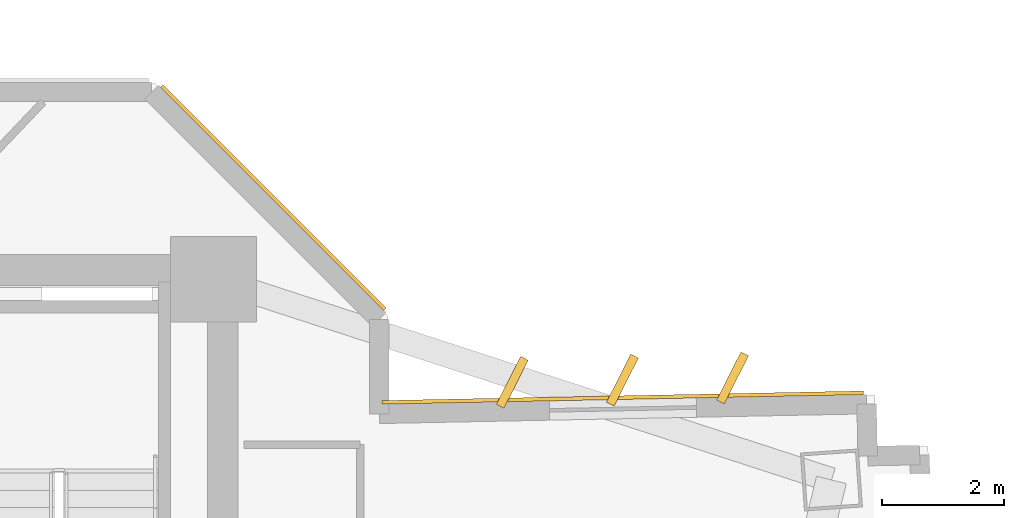
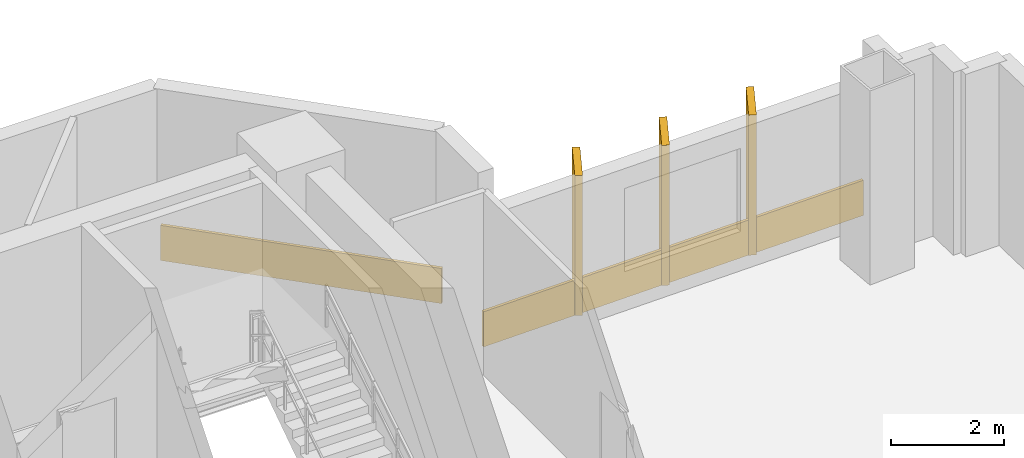
# One storey, part 15 of 15: 5 coverings.
"""IFC4 building model written with IfcOpenShell, lengths in metres."""

from ifc_helpers import new_model, si_unit, direction, frame, origin, origin_2d, place, context, subcontext, project, spatial, rectangle, extrude, source, transform, mapped, material, layer, layer_set, type_object, element, save


model = new_model("IFC4")

# Units and contexts
model_context = context("Model", 3, precision=1e-05, world=origin(), true_north=direction((0.0, 1.0)))
body_context = subcontext(model_context, "Body", "Model", "MODEL_VIEW")
ifc_project = project(units=[si_unit("LENGTHUNIT", "METRE"), si_unit("AREAUNIT", "SQUARE_METRE"), si_unit("VOLUMEUNIT", "CUBIC_METRE"), si_unit("PLANEANGLEUNIT", "RADIAN"), si_unit("MASSUNIT", "GRAM", prefix="KILO")], contexts=[model_context])

# Site, building, storey
site_placement = place(None, origin())
site = spatial("IfcSite", under=ifc_project, at=site_placement, CompositionType="ELEMENT")
building_placement = place(site_placement, origin())
building = spatial("IfcBuilding", under=site, at=building_placement, Name="Zahravan Cultural Tower", CompositionType="ELEMENT")
storey_placement = place(building_placement, frame((0.0, 0.0, 41.699951171875)))
storey = spatial("IfcBuildingStorey", under=building, at=storey_placement, Name="L08", CompositionType="ELEMENT", Elevation=41.699951171875)

# Coverings
ifc_material = material(Name="Terracotta ceramic cladding", Category="masonry")
ifc_layer = layer(ifc_material, 0.06005859375)
ifc_layer_set = layer_set([ifc_layer], Name="Terracotta ceramic cladding")
covering_type = type_object("IfcCoveringType", Name="COV-CLAD-TC60", PredefinedType="CLADDING", material=ifc_layer_set)
shared_shape_1 = source(origin(), body_context, "Body", "SweptSolid", [
    extrude(rectangle(XDim=5.157958984375, YDim=0.06005859375, at=origin_2d()), origin(), (0.0, 0.0, 1.0), 0.760009765625),
])
covering_1_placement = place(storey_placement, frame((51.331787109375, 37.53173828125, 0.02001953125), z_axis=(0.0, 0.0, 1.0), x_axis=(0.707106781187, -0.707106781187, 0.0)))
element("IfcCovering", 1, at=covering_1_placement, inside=storey, type_object=covering_type, Name="L08 Terracotta Spandrel Cladding 53", PredefinedType="CLADDING", context=body_context, shape_type="MappedRepresentation", body=[
    mapped(shared_shape_1, transform((0.0, 0.0, 0.0), x_axis=(1.0, 0.0, 0.0), y_axis=(0.0, 1.0, 0.0), z_axis=(0.0, 0.0, 1.0), scale=1.0)),
])
shared_shape_2 = source(origin(), body_context, "Body", "SweptSolid", [
    extrude(rectangle(XDim=7.864013671875, YDim=0.06005859375, at=origin_2d()), origin(), (0.0, 0.0, 1.0), 0.760009765625),
])
covering_2_placement = place(storey_placement, frame((57.03759765625, 34.264892578125, 0.02001953125), z_axis=(0.0, 0.0, 1.0), x_axis=(0.999802066131, 0.019895440708, 0.0)))
element("IfcCovering", 2, at=covering_2_placement, inside=storey, type_object=covering_type, Name="L08 Terracotta Spandrel Cladding 01", PredefinedType="CLADDING", context=body_context, shape_type="MappedRepresentation", body=[
    mapped(shared_shape_2, transform((0.0, 0.0, 0.0), x_axis=(1.0, 0.0, 0.0), y_axis=(0.0, 1.0, 0.0), z_axis=(0.0, 0.0, 1.0), scale=1.0)),
])
shared_shape_3 = source(origin(), body_context, "Body", "SweptSolid", [
    extrude(rectangle(XDim=0.8798828125, YDim=0.139892578125, at=origin_2d()), origin(), (0.0, 0.0, 1.0), 3.030029296875),
])
for number, where, z_axis, x_axis, name in (
    (3, (55.232421875, 34.51416015625, 0.0498046875), (0.0, 0.0, 1.0), (0.451812006981, 0.892113171267, 0.0), "L08 Herringbone Terracotta Fin 01"),
    (4, (57.031982421875, 34.5498046875, 0.0498046875), (0.0, 0.0, 1.0), (0.451812006981, 0.892113171267, 0.0), "L08 Herringbone Terracotta Fin 02"),
    (5, (58.83154296875, 34.585693359375, 0.0498046875), (0.0, 0.0, 1.0), (0.451812006981, 0.892113171267, 0.0), "L08 Herringbone Terracotta Fin 03"),
):
    element("IfcCovering", number, at=place(storey_placement, frame(where, z_axis=z_axis, x_axis=x_axis)), inside=storey, type_object=covering_type, Name=name, PredefinedType="CLADDING", context=body_context, shape_type="MappedRepresentation", body=[
        mapped(shared_shape_3, transform((0.0, 0.0, 0.0), x_axis=(1.0, 0.0, 0.0), y_axis=(0.0, 1.0, 0.0), z_axis=(0.0, 0.0, 1.0), scale=1.0)),
    ])

save(model, "model.ifc")
